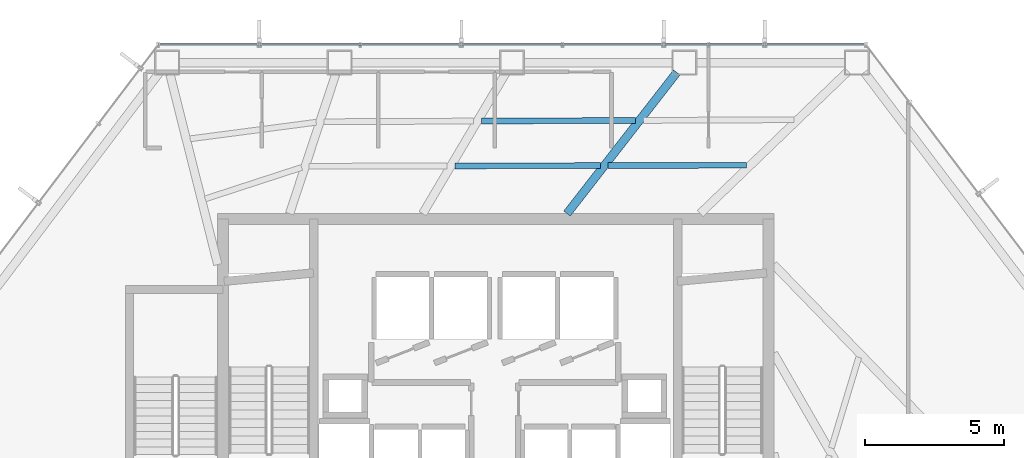
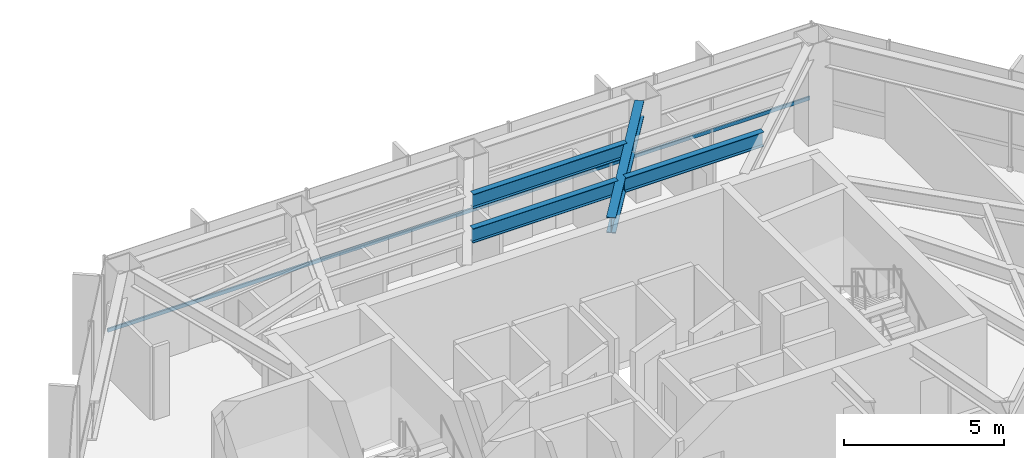
# One storey, part 12 of 24: 4 beams, 1 member, 1 element without a shape of its own.
"""IFC4 building model written with IfcOpenShell, lengths in metres."""

from ifc_helpers import new_model, si_unit, direction, frame, origin, origin_2d, place, context, subcontext, project, spatial, hollow_rectangle, i_section, extrude, material, layer, layer_set, material_profile, profile_set, type_object, element, aggregate, save


model = new_model("IFC4")

# Units and contexts
model_context = context("Model", 3, precision=1e-05, world=origin(), true_north=direction((0.0, 1.0)))
body_context = subcontext(model_context, "Body", "Model", "MODEL_VIEW")
ifc_project = project(units=[si_unit("LENGTHUNIT", "METRE"), si_unit("AREAUNIT", "SQUARE_METRE"), si_unit("VOLUMEUNIT", "CUBIC_METRE"), si_unit("PLANEANGLEUNIT", "RADIAN"), si_unit("MASSUNIT", "GRAM", prefix="KILO")], contexts=[model_context])

# Site, building, storey
site_placement = place(None, origin())
site = spatial("IfcSite", under=ifc_project, at=site_placement, CompositionType="ELEMENT")
building_placement = place(site_placement, origin())
building = spatial("IfcBuilding", under=site, at=building_placement, Name="Zarrinselat Tower", CompositionType="ELEMENT")
storey_placement = place(building_placement, frame((0.0, 0.0, 72.419921875)))
storey = spatial("IfcBuildingStorey", under=building, at=storey_placement, Name="L17", CompositionType="ELEMENT", Elevation=72.419921875)

# Beams
ifc_material_1 = material(Name="Steel S355J2", Category="steel")
ifc_material_profile_1 = material_profile(ifc_material_1, i_section(OverallWidth=0.300048828125, OverallDepth=0.60009765625, WebThickness=0.015380859375, FlangeThickness=0.030029296875, at=origin_2d()), Name="HEB 600")
ifc_profile_set_1 = profile_set([ifc_material_profile_1], Name="Steel S355J2")
beam_type_1 = type_object("IfcBeamType", Name="BM-HEB600", PredefinedType="BEAM", material=ifc_profile_set_1)
beam_1_placement = place(storey_placement, frame((41.0, 43.639892578125, 3.52001953125), z_axis=(0.614058622001, 0.789260418839, 0.0), x_axis=(-0.789260418839, 0.614058622001, 0.0)))
element("IfcBeam", 1, at=beam_1_placement, inside=storey, type_object=beam_type_1, Name="L17 Radial Primary Girder RG02", PredefinedType="BEAM", context=body_context, shape_type="SweptSolid", body=[
    extrude(i_section(OverallWidth=0.300048828125, OverallDepth=0.60009765625, WebThickness=0.015380859375, FlangeThickness=0.030029296875, at=origin_2d()), origin(), (0.0, 0.0, 1.0), 6.44482421875),
])
ifc_material_2 = material(Name="Steel S355J2", Category="steel")
ifc_material_profile_2 = material_profile(ifc_material_2, i_section(OverallWidth=0.2099609375, OverallDepth=0.550048828125, WebThickness=0.010986328125, FlangeThickness=0.01708984375, at=origin_2d()), Name="IPE 550")
ifc_profile_set_2 = profile_set([ifc_material_profile_2], Name="Steel S355J2")
beam_type_2 = type_object("IfcBeamType", Name="BM-IPE550", PredefinedType="JOIST", material=ifc_profile_set_2)
beam_2_placement = place(storey_placement, frame((42.485595703125, 45.369873046875, 3.545166015625), z_axis=(0.999996104882, 0.002791096757, 0.0), x_axis=(-0.002791096757, 0.999996104882, 0.0)))
element("IfcBeam", 2, at=beam_2_placement, inside=storey, type_object=beam_type_2, Name="L17 Composite Floor Joist 7-2", PredefinedType="JOIST", context=body_context, shape_type="SweptSolid", body=[
    extrude(i_section(OverallWidth=0.2099609375, OverallDepth=0.550048828125, WebThickness=0.010986328125, FlangeThickness=0.01708984375, at=origin_2d()), origin(), (0.0, 0.0, 1.0), 4.98583984375),
])
beam_3_placement = place(storey_placement, frame((37.91162109375, 46.976318359375, 3.545166015625), z_axis=(0.999993359434, 0.003644322671, 0.0), x_axis=(-0.003644322671, 0.999993359434, 0.0)))
element("IfcBeam", 3, at=beam_3_placement, inside=storey, type_object=beam_type_2, Name="L17 Composite Floor Joist 8-1", PredefinedType="JOIST", context=body_context, shape_type="SweptSolid", body=[
    extrude(i_section(OverallWidth=0.2099609375, OverallDepth=0.550048828125, WebThickness=0.010986328125, FlangeThickness=0.01708984375, at=origin_2d()), origin(), (0.0, 0.0, 1.0), 5.560302734375),
])
beam_4_placement = place(storey_placement, frame((36.95556640625, 45.358642578125, 3.545166015625), z_axis=(0.99999800075, 0.001999623978, 0.0), x_axis=(-0.001999623978, 0.99999800075, 0.0)))
element("IfcBeam", 4, at=beam_4_placement, inside=storey, type_object=beam_type_2, Name="L17 Composite Floor Joist 8-2", PredefinedType="JOIST", context=body_context, shape_type="SweptSolid", body=[
    extrude(i_section(OverallWidth=0.2099609375, OverallDepth=0.550048828125, WebThickness=0.010986328125, FlangeThickness=0.01708984375, at=origin_2d()), origin(), (0.0, 0.0, 1.0), 5.25),
])

# Curtain wall, member
ifc_material_3 = material(Name="Extruded Aluminium Alloy EN AW-6063 T6", Category="aluminium")
ifc_layer = layer(ifc_material_3, 0.18505859375)
ifc_layer_set = layer_set([ifc_layer], Name="Extruded Aluminium Alloy EN AW-6063 T6")
curtain_wall_type = type_object("IfcCurtainWallType", Name="CWS-OFF", PredefinedType="NOTDEFINED", material=ifc_layer_set)
curtain_wall_placement = place(storey_placement, origin())
curtain_wall = element("IfcCurtainWall", 5, at=curtain_wall_placement, inside=storey, type_object=curtain_wall_type, Name="L17 Unitised Curtain Wall CW-L17-E01", PredefinedType="NOTDEFINED")
ifc_material_4 = material(Name="Extruded Aluminium Alloy EN AW-6063 T6", Category="aluminium")
ifc_material_profile_3 = material_profile(ifc_material_4, hollow_rectangle(XDim=0.06005859375, YDim=0.139892578125, WallThickness=0.00390625, at=origin_2d()), Name="RHS 140x60x4")
ifc_profile_set_3 = profile_set([ifc_material_profile_3], Name="Extruded Aluminium Alloy EN AW-6063 T6")
member_type = type_object("IfcMemberType", Name="MEM-CW-TRN", PredefinedType="USERDEFINED", material=ifc_profile_set_3)
member_placement = place(storey_placement, frame((51.686279296875, 49.7333984375, 0.9501953125), z_axis=(-1.0, 0.0, 0.0), x_axis=(0.0, -1.0, 0.0)))
member = element("IfcMember", 6, at=member_placement, type_object=member_type, Name="CW-L17-E01 Transom 1", ObjectType="TRANSOM", PredefinedType="USERDEFINED", context=body_context, shape_type="SweptSolid", body=[
    extrude(hollow_rectangle(XDim=0.06005859375, YDim=0.139892578125, WallThickness=0.00390625, at=origin_2d()), origin(), (0.0, 0.0, 1.0), 25.338134765625),
])
aggregate(curtain_wall, [member])

save(model, "model.ifc")
